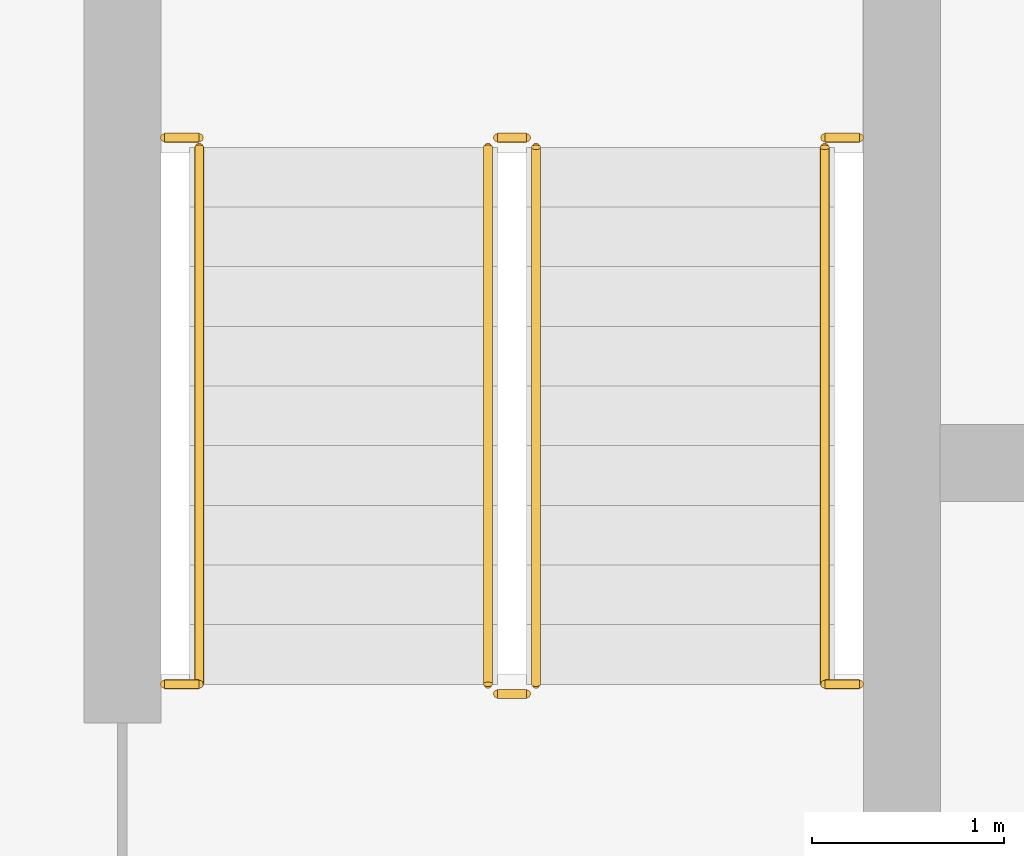
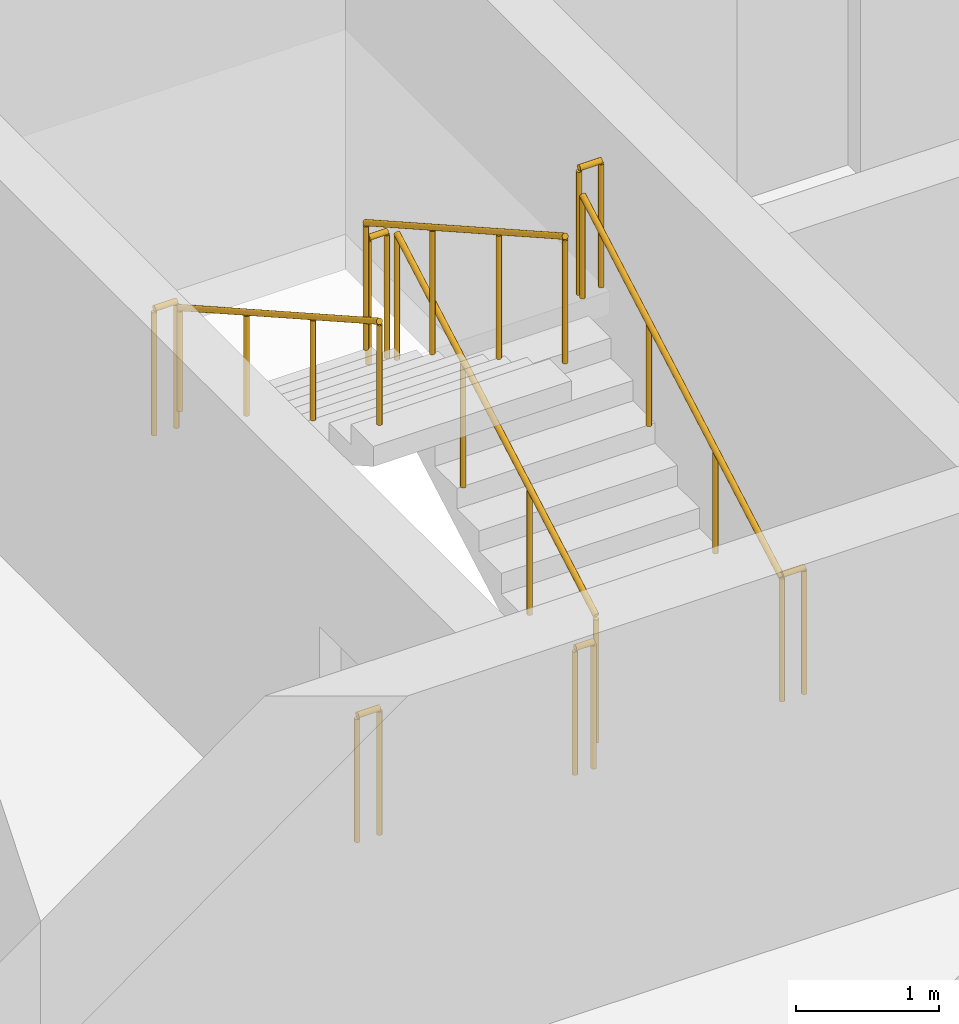
# One storey, part 17 of 21: 10 railings.
"""IFC4 building model written with IfcOpenShell, lengths in metres."""

from ifc_helpers import new_model, si_unit, direction, frame, origin, origin_2d, place, context, subcontext, project, spatial, circle, extrude, material, type_object, element, save


model = new_model("IFC4")

# Units and contexts
model_context = context("Model", 3, precision=1e-05, world=origin(), true_north=direction((0.0, 1.0)))
body_context = subcontext(model_context, "Body", "Model", "MODEL_VIEW")
ifc_project = project(units=[si_unit("LENGTHUNIT", "METRE"), si_unit("AREAUNIT", "SQUARE_METRE"), si_unit("VOLUMEUNIT", "CUBIC_METRE"), si_unit("PLANEANGLEUNIT", "RADIAN"), si_unit("MASSUNIT", "GRAM", prefix="KILO")], contexts=[model_context])

# Site, building, storey
site_placement = place(None, origin())
site = spatial("IfcSite", under=ifc_project, at=site_placement, CompositionType="ELEMENT")
building_placement = place(site_placement, origin())
building = spatial("IfcBuilding", under=site, at=building_placement, Name="Madar Terraces", CompositionType="ELEMENT")
storey_placement = place(building_placement, frame((0.0, 0.0, 275.60009765625)))
storey = spatial("IfcBuildingStorey", under=building, at=storey_placement, Name="L72", CompositionType="ELEMENT", Elevation=275.60009765625)

# Railings
ifc_material_1 = material(Name="Stainless steel railing", Category="steel")
railing_type_1 = type_object("IfcRailingType", Name="Stair guard 1100", PredefinedType="GUARDRAIL", material=ifc_material_1)
railing_1_placement = place(storey_placement, frame((21.199951171875, 17.60009765625, 0.1748046875)))
element("IfcRailing", 1, at=railing_1_placement, inside=storey, type_object=railing_type_1, Name="L72 ST1 stair guard 1", PredefinedType="GUARDRAIL", context=body_context, shape_type="SweptSolid", body=[
    extrude(circle(Radius=0.02392578125, at=origin_2d()), frame((0.0, 0.0, 1.076171875), z_axis=(0.0, 0.870782738816, 0.491667999549), x_axis=(-1.0, 0.0, 0.0)), (0.0, 0.0, 1.0), 3.203857421875),
    extrude(circle(Radius=0.02099609375, at=origin_2d()), origin(), (0.0, 0.0, 1.0), 1.052001953125),
    extrude(circle(Radius=0.02099609375, at=origin_2d()), frame((0.0, 0.929931640625, 0.525146484375)), (0.0, 0.0, 1.0), 1.052001953125),
    extrude(circle(Radius=0.02099609375, at=origin_2d()), frame((0.0, 1.85986328125, 1.050048828125)), (0.0, 0.0, 1.0), 1.052001953125),
    extrude(circle(Radius=0.02099609375, at=origin_2d()), frame((0.0, 2.789794921875, 1.5751953125)), (0.0, 0.0, 1.0), 1.052001953125),
])
railing_2_placement = place(storey_placement, frame((21.14990234375, 20.43994140625, 1.75)))
element("IfcRailing", 2, at=railing_2_placement, inside=storey, type_object=railing_type_1, Name="L72 ST1 stair guard 2", PredefinedType="GUARDRAIL", context=body_context, shape_type="SweptSolid", body=[
    extrude(circle(Radius=0.02392578125, at=origin_2d()), frame((0.0, 0.0, 1.076171875), z_axis=(-1.0, 0.0, 0.0), x_axis=(0.0, -1.0, 0.0)), (0.0, 0.0, 1.0), 0.14990234375),
    extrude(circle(Radius=0.02099609375, at=origin_2d()), origin(), (0.0, 0.0, 1.0), 1.052001953125),
    extrude(circle(Radius=0.02099609375, at=origin_2d()), frame((-0.14990234375, 0.0, 0.0)), (0.0, 0.0, 1.0), 1.052001953125),
])
railing_3_placement = place(storey_placement, frame((20.949951171875, 20.389892578125, 1.9248046875)))
element("IfcRailing", 3, at=railing_3_placement, inside=storey, type_object=railing_type_1, Name="L72 ST1 stair guard 3", PredefinedType="GUARDRAIL", context=body_context, shape_type="SweptSolid", body=[
    extrude(circle(Radius=0.02392578125, at=origin_2d()), frame((0.0, 0.0, 1.076171875), z_axis=(0.0, -0.870782738816, 0.491667999549), x_axis=(1.0, 0.0, 0.0)), (0.0, 0.0, 1.0), 3.203857421875),
    extrude(circle(Radius=0.02099609375, at=origin_2d()), origin(), (0.0, 0.0, 1.0), 1.052001953125),
    extrude(circle(Radius=0.02099609375, at=origin_2d()), frame((0.0, -0.929931640625, 0.525146484375)), (0.0, 0.0, 1.0), 1.052001953125),
    extrude(circle(Radius=0.02099609375, at=origin_2d()), frame((0.0, -1.85986328125, 1.050048828125)), (0.0, 0.0, 1.0), 1.052001953125),
    extrude(circle(Radius=0.02099609375, at=origin_2d()), frame((0.0, -2.789794921875, 1.5751953125)), (0.0, 0.0, 1.0), 1.052001953125),
])
railing_4_placement = place(storey_placement, frame((21.14990234375, 17.550048828125, 0.0)))
element("IfcRailing", 4, at=railing_4_placement, inside=storey, type_object=railing_type_1, Name="L72 ST1 stair guard 4", PredefinedType="GUARDRAIL", context=body_context, shape_type="SweptSolid", body=[
    extrude(circle(Radius=0.02392578125, at=origin_2d()), frame((0.0, 0.0, 1.076171875), z_axis=(-1.0, 0.0, 0.0), x_axis=(0.0, -1.0, 0.0)), (0.0, 0.0, 1.0), 0.14990234375),
    extrude(circle(Radius=0.02099609375, at=origin_2d()), origin(), (0.0, 0.0, 1.0), 1.052001953125),
    extrude(circle(Radius=0.02099609375, at=origin_2d()), frame((-0.14990234375, 0.0, 0.0)), (0.0, 0.0, 1.0), 1.052001953125),
])
for number, where, name in (
    (5, (19.27001953125, 20.43994140625, 1.75), "L72 stair guard seat 1"),
    (6, (22.699951171875, 20.43994140625, 1.75), "L72 stair guard seat 2"),
    (7, (19.27001953125, 17.60009765625, 0.0), "L72 stair guard floor 1"),
    (8, (22.699951171875, 17.60009765625, 0.0), "L72 stair guard floor 2"),
):
    element("IfcRailing", number, at=place(storey_placement, frame(where)), inside=storey, type_object=railing_type_1, Name=name, PredefinedType="GUARDRAIL", context=body_context, shape_type="SweptSolid", body=[
        extrude(circle(Radius=0.02392578125, at=origin_2d()), frame((0.0, 0.0, 1.076171875), z_axis=(1.0, 0.0, 0.0), x_axis=(0.0, 1.0, 0.0)), (0.0, 0.0, 1.0), 0.179931640625),
        extrude(circle(Radius=0.02099609375, at=origin_2d()), origin(), (0.0, 0.0, 1.0), 1.052001953125),
        extrude(circle(Radius=0.02099609375, at=origin_2d()), frame((0.179931640625, 0.0, 0.0)), (0.0, 0.0, 1.0), 1.052001953125),
    ])
ifc_material_2 = material(Name="Stainless steel railing", Category="steel")
railing_type_2 = type_object("IfcRailingType", Name="Stair handrail 900", PredefinedType="HANDRAIL", material=ifc_material_2)
railing_5_placement = place(storey_placement, frame((22.699951171875, 17.60009765625, 0.1748046875)))
element("IfcRailing", 9, at=railing_5_placement, inside=storey, type_object=railing_type_2, Name="L72 ST1 stair handrail 1", PredefinedType="HANDRAIL", context=body_context, shape_type="SweptSolid", body=[
    extrude(circle(Radius=0.02392578125, at=origin_2d()), frame((0.0, 0.0, 0.8759765625), z_axis=(0.0, 0.870782738816, 0.491667999549), x_axis=(-1.0, 0.0, 0.0)), (0.0, 0.0, 1.0), 3.203857421875),
    extrude(circle(Radius=0.02099609375, at=origin_2d()), origin(), (0.0, 0.0, 1.0), 0.851806640625),
    extrude(circle(Radius=0.02099609375, at=origin_2d()), frame((0.0, 0.929931640625, 0.525146484375)), (0.0, 0.0, 1.0), 0.851806640625),
    extrude(circle(Radius=0.02099609375, at=origin_2d()), frame((0.0, 1.85986328125, 1.050048828125)), (0.0, 0.0, 1.0), 0.851806640625),
    extrude(circle(Radius=0.02099609375, at=origin_2d()), frame((0.0, 2.789794921875, 1.5751953125)), (0.0, 0.0, 1.0), 0.851806640625),
])
railing_6_placement = place(storey_placement, frame((19.449951171875, 20.389892578125, 1.9248046875)))
element("IfcRailing", 10, at=railing_6_placement, inside=storey, type_object=railing_type_2, Name="L72 ST1 stair handrail 2", PredefinedType="HANDRAIL", context=body_context, shape_type="SweptSolid", body=[
    extrude(circle(Radius=0.02392578125, at=origin_2d()), frame((0.0, 0.0, 0.8759765625), z_axis=(0.0, -0.870782738816, 0.491667999549), x_axis=(1.0, 0.0, 0.0)), (0.0, 0.0, 1.0), 3.203857421875),
    extrude(circle(Radius=0.02099609375, at=origin_2d()), origin(), (0.0, 0.0, 1.0), 0.851806640625),
    extrude(circle(Radius=0.02099609375, at=origin_2d()), frame((0.0, -0.929931640625, 0.525146484375)), (0.0, 0.0, 1.0), 0.851806640625),
    extrude(circle(Radius=0.02099609375, at=origin_2d()), frame((0.0, -1.85986328125, 1.050048828125)), (0.0, 0.0, 1.0), 0.851806640625),
    extrude(circle(Radius=0.02099609375, at=origin_2d()), frame((0.0, -2.789794921875, 1.5751953125)), (0.0, 0.0, 1.0), 0.851806640625),
])

save(model, "model.ifc")
